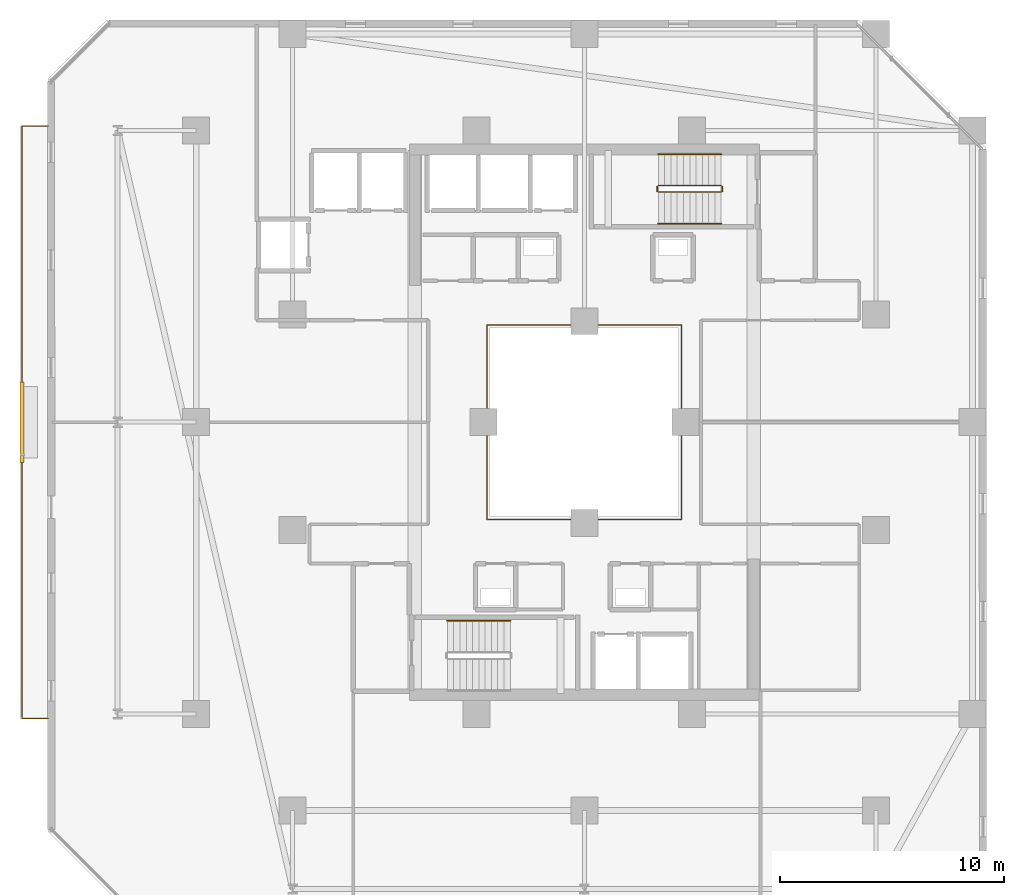
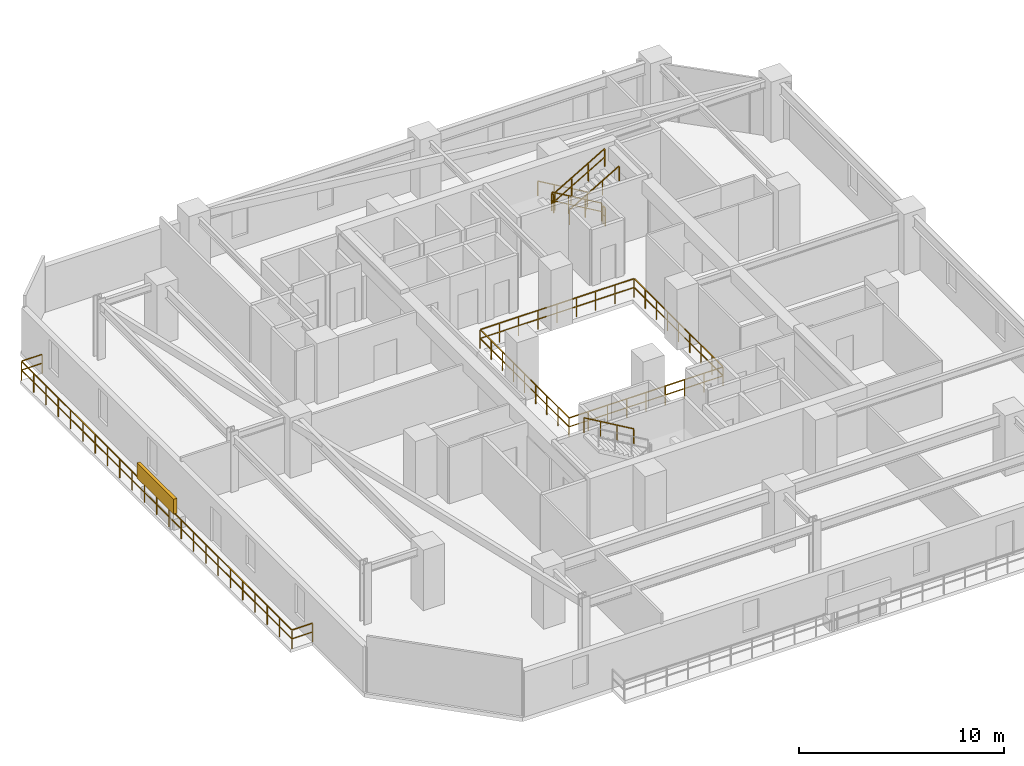
# One storey, part 28 of 31: 9 railings, 1 shading device.
"""IFC4 building model written with IfcOpenShell, lengths in metres."""

from ifc_helpers import new_model, si_unit, direction, frame, origin, origin_2d, place, context, subcontext, project, spatial, rectangle, extrude, material, type_object, element, save


model = new_model("IFC4")

# Units and contexts
model_context = context("Model", 3, precision=1e-05, world=origin(), true_north=direction((0.0, 1.0)))
body_context = subcontext(model_context, "Body", "Model", "MODEL_VIEW")
ifc_project = project(units=[si_unit("LENGTHUNIT", "METRE"), si_unit("AREAUNIT", "SQUARE_METRE"), si_unit("VOLUMEUNIT", "CUBIC_METRE"), si_unit("PLANEANGLEUNIT", "RADIAN"), si_unit("MASSUNIT", "GRAM", prefix="KILO")], contexts=[model_context])

# Site, building, storey
site_placement = place(None, origin())
site = spatial("IfcSite", under=ifc_project, at=site_placement, CompositionType="ELEMENT")
building_placement = place(site_placement, origin())
building = spatial("IfcBuilding", under=site, at=building_placement, Name="Thornwick Lancets Civic Towers", CompositionType="ELEMENT")
storey_placement = place(building_placement, frame((0.0, 0.0, 126.89990234375)))
storey = spatial("IfcBuildingStorey", under=building, at=storey_placement, Name="L33", CompositionType="ELEMENT", Elevation=126.89990234375)

# Railings
ifc_material_1 = material(Name="Laminated glass and bronze steel S355", Category="steel")
railing_type_1 = type_object("IfcRailingType", Name="RAIL_ATRIUM_GUARD", PredefinedType="BALUSTRADE", material=ifc_material_1)
railing_1_placement = place(storey_placement, frame((21.159912109375, 22.659912109375, 0.0)))
element("IfcRailing", 1, at=railing_1_placement, inside=storey, type_object=railing_type_1, Name="L33 Tower A Central Atrium Guard Balustrade", PredefinedType="BALUSTRADE", context=body_context, shape_type="SweptSolid", body=[
    extrude(rectangle(XDim=0.048095703125, YDim=0.048095703125, at=origin_2d()), frame((0.0, 0.0, 1.1259765625), z_axis=(1.0, 0.0, 0.0), x_axis=(0.0, 1.0, 0.0)), (0.0, 0.0, 1.0), 8.64892578125),
    extrude(rectangle(XDim=0.0419921875, YDim=0.0419921875, at=origin_2d()), frame((0.03759765625, 0.0, 0.597900390625), z_axis=(1.0, 0.0, 0.0), x_axis=(0.0, 1.0, 0.0)), (0.0, 0.0, 1.0), 1.010009765625),
    extrude(rectangle(XDim=0.0419921875, YDim=0.0419921875, at=origin_2d()), frame((1.12255859375, 0.0, 0.597900390625), z_axis=(1.0, 0.0, 0.0), x_axis=(0.0, 1.0, 0.0)), (0.0, 0.0, 1.0), 1.010009765625),
    extrude(rectangle(XDim=0.0419921875, YDim=0.0419921875, at=origin_2d()), frame((2.20751953125, 0.0, 0.597900390625), z_axis=(1.0, 0.0, 0.0), x_axis=(0.0, 1.0, 0.0)), (0.0, 0.0, 1.0), 1.010009765625),
    extrude(rectangle(XDim=0.0419921875, YDim=0.0419921875, at=origin_2d()), frame((3.29248046875, 0.0, 0.597900390625), z_axis=(1.0, 0.0, 0.0), x_axis=(0.0, 1.0, 0.0)), (0.0, 0.0, 1.0), 1.010009765625),
    extrude(rectangle(XDim=0.0419921875, YDim=0.0419921875, at=origin_2d()), frame((4.377685546875, 0.0, 0.597900390625), z_axis=(1.0, 0.0, 0.0), x_axis=(0.0, 1.0, 0.0)), (0.0, 0.0, 1.0), 1.010009765625),
    extrude(rectangle(XDim=0.0419921875, YDim=0.0419921875, at=origin_2d()), frame((5.462646484375, 0.0, 0.597900390625), z_axis=(1.0, 0.0, 0.0), x_axis=(0.0, 1.0, 0.0)), (0.0, 0.0, 1.0), 1.010009765625),
    extrude(rectangle(XDim=0.0419921875, YDim=0.0419921875, at=origin_2d()), frame((6.547607421875, 0.0, 0.597900390625), z_axis=(1.0, 0.0, 0.0), x_axis=(0.0, 1.0, 0.0)), (0.0, 0.0, 1.0), 1.010009765625),
    extrude(rectangle(XDim=0.0419921875, YDim=0.0419921875, at=origin_2d()), frame((7.632568359375, 0.0, 0.597900390625), z_axis=(1.0, 0.0, 0.0), x_axis=(0.0, 1.0, 0.0)), (0.0, 0.0, 1.0), 1.010009765625),
    extrude(rectangle(XDim=0.048095703125, YDim=0.048095703125, at=origin_2d()), frame((8.68017578125, 0.03125, 1.1259765625), z_axis=(0.0, 1.0, 0.0), x_axis=(-1.0, 0.0, 0.0)), (0.0, 0.0, 1.0), 8.61767578125),
    extrude(rectangle(XDim=0.0419921875, YDim=0.0419921875, at=origin_2d()), frame((8.68017578125, 0.03759765625, 0.597900390625), z_axis=(0.0, 1.0, 0.0), x_axis=(-1.0, 0.0, 0.0)), (0.0, 0.0, 1.0), 1.010009765625),
    extrude(rectangle(XDim=0.0419921875, YDim=0.0419921875, at=origin_2d()), frame((8.68017578125, 1.12255859375, 0.597900390625), z_axis=(0.0, 1.0, 0.0), x_axis=(-1.0, 0.0, 0.0)), (0.0, 0.0, 1.0), 1.010009765625),
    extrude(rectangle(XDim=0.0419921875, YDim=0.0419921875, at=origin_2d()), frame((8.68017578125, 2.20751953125, 0.597900390625), z_axis=(0.0, 1.0, 0.0), x_axis=(-1.0, 0.0, 0.0)), (0.0, 0.0, 1.0), 1.010009765625),
    extrude(rectangle(XDim=0.0419921875, YDim=0.0419921875, at=origin_2d()), frame((8.68017578125, 3.29248046875, 0.597900390625), z_axis=(0.0, 1.0, 0.0), x_axis=(-1.0, 0.0, 0.0)), (0.0, 0.0, 1.0), 1.010009765625),
    extrude(rectangle(XDim=0.0419921875, YDim=0.0419921875, at=origin_2d()), frame((8.68017578125, 4.377685546875, 0.597900390625), z_axis=(0.0, 1.0, 0.0), x_axis=(-1.0, 0.0, 0.0)), (0.0, 0.0, 1.0), 1.010009765625),
    extrude(rectangle(XDim=0.0419921875, YDim=0.0419921875, at=origin_2d()), frame((8.68017578125, 5.462646484375, 0.597900390625), z_axis=(0.0, 1.0, 0.0), x_axis=(-1.0, 0.0, 0.0)), (0.0, 0.0, 1.0), 1.010009765625),
    extrude(rectangle(XDim=0.0419921875, YDim=0.0419921875, at=origin_2d()), frame((8.68017578125, 6.547607421875, 0.597900390625), z_axis=(0.0, 1.0, 0.0), x_axis=(-1.0, 0.0, 0.0)), (0.0, 0.0, 1.0), 1.010009765625),
    extrude(rectangle(XDim=0.0419921875, YDim=0.0419921875, at=origin_2d()), frame((8.68017578125, 7.632568359375, 0.597900390625), z_axis=(0.0, 1.0, 0.0), x_axis=(-1.0, 0.0, 0.0)), (0.0, 0.0, 1.0), 1.010009765625),
    extrude(rectangle(XDim=0.048095703125, YDim=0.048095703125, at=origin_2d()), frame((8.64892578125, 8.68017578125, 1.1259765625), z_axis=(-1.0, 0.0, 0.0), x_axis=(0.0, -1.0, 0.0)), (0.0, 0.0, 1.0), 8.61767578125),
    extrude(rectangle(XDim=0.0419921875, YDim=0.0419921875, at=origin_2d()), frame((8.642578125, 8.68017578125, 0.597900390625), z_axis=(-1.0, 0.0, 0.0), x_axis=(0.0, -1.0, 0.0)), (0.0, 0.0, 1.0), 1.010009765625),
    extrude(rectangle(XDim=0.0419921875, YDim=0.0419921875, at=origin_2d()), frame((7.5576171875, 8.68017578125, 0.597900390625), z_axis=(-1.0, 0.0, 0.0), x_axis=(0.0, -1.0, 0.0)), (0.0, 0.0, 1.0), 1.010009765625),
    extrude(rectangle(XDim=0.0419921875, YDim=0.0419921875, at=origin_2d()), frame((6.47265625, 8.68017578125, 0.597900390625), z_axis=(-1.0, 0.0, 0.0), x_axis=(0.0, -1.0, 0.0)), (0.0, 0.0, 1.0), 1.010009765625),
    extrude(rectangle(XDim=0.0419921875, YDim=0.0419921875, at=origin_2d()), frame((5.3876953125, 8.68017578125, 0.597900390625), z_axis=(-1.0, 0.0, 0.0), x_axis=(0.0, -1.0, 0.0)), (0.0, 0.0, 1.0), 1.010009765625),
    extrude(rectangle(XDim=0.0419921875, YDim=0.0419921875, at=origin_2d()), frame((4.302490234375, 8.68017578125, 0.597900390625), z_axis=(-1.0, 0.0, 0.0), x_axis=(0.0, -1.0, 0.0)), (0.0, 0.0, 1.0), 1.010009765625),
    extrude(rectangle(XDim=0.0419921875, YDim=0.0419921875, at=origin_2d()), frame((3.217529296875, 8.68017578125, 0.597900390625), z_axis=(-1.0, 0.0, 0.0), x_axis=(0.0, -1.0, 0.0)), (0.0, 0.0, 1.0), 1.010009765625),
    extrude(rectangle(XDim=0.0419921875, YDim=0.0419921875, at=origin_2d()), frame((2.132568359375, 8.68017578125, 0.597900390625), z_axis=(-1.0, 0.0, 0.0), x_axis=(0.0, -1.0, 0.0)), (0.0, 0.0, 1.0), 1.010009765625),
    extrude(rectangle(XDim=0.0419921875, YDim=0.0419921875, at=origin_2d()), frame((1.047607421875, 8.68017578125, 0.597900390625), z_axis=(-1.0, 0.0, 0.0), x_axis=(0.0, -1.0, 0.0)), (0.0, 0.0, 1.0), 1.010009765625),
    extrude(rectangle(XDim=0.048095703125, YDim=0.048095703125, at=origin_2d()), frame((0.0, 8.64892578125, 1.1259765625), z_axis=(0.0, -1.0, 0.0), x_axis=(1.0, 0.0, 0.0)), (0.0, 0.0, 1.0), 8.64892578125),
    extrude(rectangle(XDim=0.0419921875, YDim=0.0419921875, at=origin_2d()), frame((0.0, 8.642578125, 0.597900390625), z_axis=(0.0, -1.0, 0.0), x_axis=(1.0, 0.0, 0.0)), (0.0, 0.0, 1.0), 1.010009765625),
    extrude(rectangle(XDim=0.0419921875, YDim=0.0419921875, at=origin_2d()), frame((0.0, 7.5576171875, 0.597900390625), z_axis=(0.0, -1.0, 0.0), x_axis=(1.0, 0.0, 0.0)), (0.0, 0.0, 1.0), 1.010009765625),
    extrude(rectangle(XDim=0.0419921875, YDim=0.0419921875, at=origin_2d()), frame((0.0, 6.47265625, 0.597900390625), z_axis=(0.0, -1.0, 0.0), x_axis=(1.0, 0.0, 0.0)), (0.0, 0.0, 1.0), 1.010009765625),
    extrude(rectangle(XDim=0.0419921875, YDim=0.0419921875, at=origin_2d()), frame((0.0, 5.3876953125, 0.597900390625), z_axis=(0.0, -1.0, 0.0), x_axis=(1.0, 0.0, 0.0)), (0.0, 0.0, 1.0), 1.010009765625),
    extrude(rectangle(XDim=0.0419921875, YDim=0.0419921875, at=origin_2d()), frame((0.0, 4.302490234375, 0.597900390625), z_axis=(0.0, -1.0, 0.0), x_axis=(1.0, 0.0, 0.0)), (0.0, 0.0, 1.0), 1.010009765625),
    extrude(rectangle(XDim=0.0419921875, YDim=0.0419921875, at=origin_2d()), frame((0.0, 3.217529296875, 0.597900390625), z_axis=(0.0, -1.0, 0.0), x_axis=(1.0, 0.0, 0.0)), (0.0, 0.0, 1.0), 1.010009765625),
    extrude(rectangle(XDim=0.0419921875, YDim=0.0419921875, at=origin_2d()), frame((0.0, 2.132568359375, 0.597900390625), z_axis=(0.0, -1.0, 0.0), x_axis=(1.0, 0.0, 0.0)), (0.0, 0.0, 1.0), 1.010009765625),
    extrude(rectangle(XDim=0.0419921875, YDim=0.0419921875, at=origin_2d()), frame((0.0, 1.047607421875, 0.597900390625), z_axis=(0.0, -1.0, 0.0), x_axis=(1.0, 0.0, 0.0)), (0.0, 0.0, 1.0), 1.010009765625),
    extrude(rectangle(XDim=0.0419921875, YDim=0.0419921875, at=origin_2d()), origin(), (0.0, 0.0, 1.0), 1.095703125),
    extrude(rectangle(XDim=0.0419921875, YDim=0.0419921875, at=origin_2d()), frame((1.0849609375, 0.0, 0.0)), (0.0, 0.0, 1.0), 1.095703125),
    extrude(rectangle(XDim=0.0419921875, YDim=0.0419921875, at=origin_2d()), frame((2.169921875, 0.0, 0.0)), (0.0, 0.0, 1.0), 1.095703125),
    extrude(rectangle(XDim=0.0419921875, YDim=0.0419921875, at=origin_2d()), frame((3.255126953125, 0.0, 0.0)), (0.0, 0.0, 1.0), 1.095703125),
    extrude(rectangle(XDim=0.0419921875, YDim=0.0419921875, at=origin_2d()), frame((4.340087890625, 0.0, 0.0)), (0.0, 0.0, 1.0), 1.095703125),
    extrude(rectangle(XDim=0.0419921875, YDim=0.0419921875, at=origin_2d()), frame((5.425048828125, 0.0, 0.0)), (0.0, 0.0, 1.0), 1.095703125),
    extrude(rectangle(XDim=0.0419921875, YDim=0.0419921875, at=origin_2d()), frame((6.51025390625, 0.0, 0.0)), (0.0, 0.0, 1.0), 1.095703125),
    extrude(rectangle(XDim=0.0419921875, YDim=0.0419921875, at=origin_2d()), frame((7.59521484375, 0.0, 0.0)), (0.0, 0.0, 1.0), 1.095703125),
    extrude(rectangle(XDim=0.0419921875, YDim=0.0419921875, at=origin_2d()), frame((8.68017578125, 0.0, 0.0)), (0.0, 0.0, 1.0), 1.095703125),
    extrude(rectangle(XDim=0.0419921875, YDim=0.0419921875, at=origin_2d()), frame((8.68017578125, 1.0849609375, 0.0)), (0.0, 0.0, 1.0), 1.095703125),
    extrude(rectangle(XDim=0.0419921875, YDim=0.0419921875, at=origin_2d()), frame((8.68017578125, 2.169921875, 0.0)), (0.0, 0.0, 1.0), 1.095703125),
    extrude(rectangle(XDim=0.0419921875, YDim=0.0419921875, at=origin_2d()), frame((8.68017578125, 3.255126953125, 0.0)), (0.0, 0.0, 1.0), 1.095703125),
    extrude(rectangle(XDim=0.0419921875, YDim=0.0419921875, at=origin_2d()), frame((8.68017578125, 4.340087890625, 0.0)), (0.0, 0.0, 1.0), 1.095703125),
    extrude(rectangle(XDim=0.0419921875, YDim=0.0419921875, at=origin_2d()), frame((8.68017578125, 5.425048828125, 0.0)), (0.0, 0.0, 1.0), 1.095703125),
    extrude(rectangle(XDim=0.0419921875, YDim=0.0419921875, at=origin_2d()), frame((8.68017578125, 6.51025390625, 0.0)), (0.0, 0.0, 1.0), 1.095703125),
    extrude(rectangle(XDim=0.0419921875, YDim=0.0419921875, at=origin_2d()), frame((8.68017578125, 7.59521484375, 0.0)), (0.0, 0.0, 1.0), 1.095703125),
    extrude(rectangle(XDim=0.0419921875, YDim=0.0419921875, at=origin_2d()), frame((8.68017578125, 8.68017578125, 0.0)), (0.0, 0.0, 1.0), 1.095703125),
    extrude(rectangle(XDim=0.0419921875, YDim=0.0419921875, at=origin_2d()), frame((7.59521484375, 8.68017578125, 0.0)), (0.0, 0.0, 1.0), 1.095703125),
    extrude(rectangle(XDim=0.0419921875, YDim=0.0419921875, at=origin_2d()), frame((6.51025390625, 8.68017578125, 0.0)), (0.0, 0.0, 1.0), 1.095703125),
    extrude(rectangle(XDim=0.0419921875, YDim=0.0419921875, at=origin_2d()), frame((5.425048828125, 8.68017578125, 0.0)), (0.0, 0.0, 1.0), 1.095703125),
    extrude(rectangle(XDim=0.0419921875, YDim=0.0419921875, at=origin_2d()), frame((4.340087890625, 8.68017578125, 0.0)), (0.0, 0.0, 1.0), 1.095703125),
    extrude(rectangle(XDim=0.0419921875, YDim=0.0419921875, at=origin_2d()), frame((3.255126953125, 8.68017578125, 0.0)), (0.0, 0.0, 1.0), 1.095703125),
    extrude(rectangle(XDim=0.0419921875, YDim=0.0419921875, at=origin_2d()), frame((2.169921875, 8.68017578125, 0.0)), (0.0, 0.0, 1.0), 1.095703125),
    extrude(rectangle(XDim=0.0419921875, YDim=0.0419921875, at=origin_2d()), frame((1.0849609375, 8.68017578125, 0.0)), (0.0, 0.0, 1.0), 1.095703125),
    extrude(rectangle(XDim=0.0419921875, YDim=0.0419921875, at=origin_2d()), frame((0.0, 8.68017578125, 0.0)), (0.0, 0.0, 1.0), 1.095703125),
    extrude(rectangle(XDim=0.0419921875, YDim=0.0419921875, at=origin_2d()), frame((0.0, 7.59521484375, 0.0)), (0.0, 0.0, 1.0), 1.095703125),
    extrude(rectangle(XDim=0.0419921875, YDim=0.0419921875, at=origin_2d()), frame((0.0, 6.51025390625, 0.0)), (0.0, 0.0, 1.0), 1.095703125),
    extrude(rectangle(XDim=0.0419921875, YDim=0.0419921875, at=origin_2d()), frame((0.0, 5.425048828125, 0.0)), (0.0, 0.0, 1.0), 1.095703125),
    extrude(rectangle(XDim=0.0419921875, YDim=0.0419921875, at=origin_2d()), frame((0.0, 4.340087890625, 0.0)), (0.0, 0.0, 1.0), 1.095703125),
    extrude(rectangle(XDim=0.0419921875, YDim=0.0419921875, at=origin_2d()), frame((0.0, 3.255126953125, 0.0)), (0.0, 0.0, 1.0), 1.095703125),
    extrude(rectangle(XDim=0.0419921875, YDim=0.0419921875, at=origin_2d()), frame((0.0, 2.169921875, 0.0)), (0.0, 0.0, 1.0), 1.095703125),
    extrude(rectangle(XDim=0.0419921875, YDim=0.0419921875, at=origin_2d()), frame((0.0, 1.0849609375, 0.0)), (0.0, 0.0, 1.0), 1.095703125),
])
ifc_material_2 = material(Name="Brushed stainless steel S355", Category="steel")
railing_type_2 = type_object("IfcRailingType", Name="RAIL_HANDRAIL", PredefinedType="HANDRAIL", material=ifc_material_2)
railing_2_placement = place(storey_placement, frame((22.199951171875, 18.14990234375, 1.963623046875)))
element("IfcRailing", 2, at=railing_2_placement, inside=storey, type_object=railing_type_2, Name="L33 ST-A1 stair handrail 2", PredefinedType="HANDRAIL", context=body_context, shape_type="SweptSolid", body=[
    extrude(rectangle(XDim=0.048095703125, YDim=0.048095703125, at=origin_2d()), frame((0.0, 0.0, 0.8857421875), z_axis=(-0.863360870873, 0.0, 0.504586966384), x_axis=(0.0, -1.0, 0.0)), (0.0, 0.0, 1.0), 3.2431640625),
    extrude(rectangle(XDim=0.0419921875, YDim=0.0419921875, at=origin_2d()), origin(), (0.0, 0.0, 1.0), 0.855712890625),
    extrude(rectangle(XDim=0.0419921875, YDim=0.0419921875, at=origin_2d()), frame((-0.933349609375, 0.0, 0.54541015625)), (0.0, 0.0, 1.0), 0.855712890625),
    extrude(rectangle(XDim=0.0419921875, YDim=0.0419921875, at=origin_2d()), frame((-1.86669921875, 0.0, 1.091064453125)), (0.0, 0.0, 1.0), 0.855712890625),
    extrude(rectangle(XDim=0.0419921875, YDim=0.0419921875, at=origin_2d()), frame((-2.800048828125, 0.0, 1.636474609375)), (0.0, 0.0, 1.0), 0.855712890625),
])
railing_3_placement = place(storey_placement, frame((31.60009765625, 38.949951171875, 0.163818359375)))
element("IfcRailing", 3, at=railing_3_placement, inside=storey, type_object=railing_type_2, Name="L33 ST-A2 stair handrail 1", PredefinedType="HANDRAIL", context=body_context, shape_type="SweptSolid", body=[
    extrude(rectangle(XDim=0.048095703125, YDim=0.048095703125, at=origin_2d()), frame((0.0, 0.0, 0.8857421875), z_axis=(-0.863393664356, 0.0, 0.504530851732), x_axis=(0.0, -1.0, 0.0)), (0.0, 0.0, 1.0), 3.2431640625),
    extrude(rectangle(XDim=0.0419921875, YDim=0.0419921875, at=origin_2d()), origin(), (0.0, 0.0, 1.0), 0.855712890625),
    extrude(rectangle(XDim=0.0419921875, YDim=0.0419921875, at=origin_2d()), frame((-0.933349609375, 0.0, 0.54541015625)), (0.0, 0.0, 1.0), 0.855712890625),
    extrude(rectangle(XDim=0.0419921875, YDim=0.0419921875, at=origin_2d()), frame((-1.86669921875, 0.0, 1.0908203125)), (0.0, 0.0, 1.0), 0.855712890625),
    extrude(rectangle(XDim=0.0419921875, YDim=0.0419921875, at=origin_2d()), frame((-2.800048828125, 0.0, 1.63623046875)), (0.0, 0.0, 1.0), 0.855712890625),
])
railing_4_placement = place(storey_placement, frame((28.800048828125, 35.85009765625, 1.963623046875)))
element("IfcRailing", 4, at=railing_4_placement, inside=storey, type_object=railing_type_2, Name="L33 ST-A2 stair handrail 2", PredefinedType="HANDRAIL", context=body_context, shape_type="SweptSolid", body=[
    extrude(rectangle(XDim=0.048095703125, YDim=0.048095703125, at=origin_2d()), frame((0.0, 0.0, 0.8857421875), z_axis=(0.863360870873, 0.0, 0.504586966384), x_axis=(0.0, 1.0, 0.0)), (0.0, 0.0, 1.0), 3.2431640625),
    extrude(rectangle(XDim=0.0419921875, YDim=0.0419921875, at=origin_2d()), origin(), (0.0, 0.0, 1.0), 0.855712890625),
    extrude(rectangle(XDim=0.0419921875, YDim=0.0419921875, at=origin_2d()), frame((0.933349609375, 0.0, 0.54541015625)), (0.0, 0.0, 1.0), 0.855712890625),
    extrude(rectangle(XDim=0.0419921875, YDim=0.0419921875, at=origin_2d()), frame((1.86669921875, 0.0, 1.091064453125)), (0.0, 0.0, 1.0), 0.855712890625),
    extrude(rectangle(XDim=0.0419921875, YDim=0.0419921875, at=origin_2d()), frame((2.800048828125, 0.0, 1.636474609375)), (0.0, 0.0, 1.0), 0.855712890625),
])
ifc_material_3 = material(Name="Steel S355JR", Category="steel")
railing_type_3 = type_object("IfcRailingType", Name="RAIL_STAIR_GUARD", PredefinedType="GUARDRAIL", material=ifc_material_3)
railing_5_placement = place(storey_placement, frame((31.60009765625, 37.550048828125, 0.163818359375)))
element("IfcRailing", 5, at=railing_5_placement, inside=storey, type_object=railing_type_3, Name="L33 ST-A2 stair guard 1", PredefinedType="GUARDRAIL", context=body_context, shape_type="SweptSolid", body=[
    extrude(rectangle(XDim=0.048095703125, YDim=0.048095703125, at=origin_2d()), frame((0.0, 0.0, 1.076171875), z_axis=(-0.863393664356, 0.0, 0.504530851732), x_axis=(0.0, -1.0, 0.0)), (0.0, 0.0, 1.0), 3.2431640625),
    extrude(rectangle(XDim=0.0419921875, YDim=0.0419921875, at=origin_2d()), frame((-0.032470703125, 0.0, 0.591064453125), z_axis=(-0.863393664356, 0.0, 0.504530851732), x_axis=(0.0, -1.0, 0.0)), (0.0, 0.0, 1.0), 1.006103515625),
    extrude(rectangle(XDim=0.0419921875, YDim=0.0419921875, at=origin_2d()), frame((-0.9658203125, 0.0, 1.136474609375), z_axis=(-0.863393664356, 0.0, 0.504530851732), x_axis=(0.0, -1.0, 0.0)), (0.0, 0.0, 1.0), 1.006103515625),
    extrude(rectangle(XDim=0.0419921875, YDim=0.0419921875, at=origin_2d()), frame((-1.899169921875, 0.0, 1.681884765625), z_axis=(-0.863393664356, 0.0, 0.504530851732), x_axis=(0.0, -1.0, 0.0)), (0.0, 0.0, 1.0), 1.006103515625),
    extrude(rectangle(XDim=0.0419921875, YDim=0.0419921875, at=origin_2d()), origin(), (0.0, 0.0, 1.0), 1.0458984375),
    extrude(rectangle(XDim=0.0419921875, YDim=0.0419921875, at=origin_2d()), frame((-0.933349609375, 0.0, 0.54541015625)), (0.0, 0.0, 1.0), 1.0458984375),
    extrude(rectangle(XDim=0.0419921875, YDim=0.0419921875, at=origin_2d()), frame((-1.86669921875, 0.0, 1.0908203125)), (0.0, 0.0, 1.0), 1.0458984375),
    extrude(rectangle(XDim=0.0419921875, YDim=0.0419921875, at=origin_2d()), frame((-2.800048828125, 0.0, 1.63623046875)), (0.0, 0.0, 1.0), 1.0458984375),
])
railing_6_placement = place(storey_placement, frame((28.75, 37.5, 1.800048828125)))
element("IfcRailing", 6, at=railing_6_placement, inside=storey, type_object=railing_type_3, Name="L33 ST-A2 stair guard 2", PredefinedType="GUARDRAIL", context=body_context, shape_type="SweptSolid", body=[
    extrude(rectangle(XDim=0.048095703125, YDim=0.048095703125, at=origin_2d()), frame((0.0, 0.0, 1.076171875), z_axis=(0.0, -1.0, 0.0), x_axis=(1.0, 0.0, 0.0)), (0.0, 0.0, 1.0), 0.199951171875),
    extrude(rectangle(XDim=0.0419921875, YDim=0.0419921875, at=origin_2d()), frame((0.0, -0.03759765625, 0.572021484375), z_axis=(0.0, -1.0, 0.0), x_axis=(1.0, 0.0, 0.0)), (0.0, 0.0, 1.0), 0.125),
    extrude(rectangle(XDim=0.0419921875, YDim=0.0419921875, at=origin_2d()), origin(), (0.0, 0.0, 1.0), 1.0458984375),
    extrude(rectangle(XDim=0.0419921875, YDim=0.0419921875, at=origin_2d()), frame((0.0, -0.199951171875, 0.0)), (0.0, 0.0, 1.0), 1.0458984375),
])
railing_7_placement = place(storey_placement, frame((28.800048828125, 37.25, 1.963623046875)))
element("IfcRailing", 7, at=railing_7_placement, inside=storey, type_object=railing_type_3, Name="L33 ST-A2 stair guard 3", PredefinedType="GUARDRAIL", context=body_context, shape_type="SweptSolid", body=[
    extrude(rectangle(XDim=0.048095703125, YDim=0.048095703125, at=origin_2d()), frame((0.0, 0.0, 1.076171875), z_axis=(0.863360870873, 0.0, 0.504586966384), x_axis=(0.0, 1.0, 0.0)), (0.0, 0.0, 1.0), 3.2431640625),
    extrude(rectangle(XDim=0.0419921875, YDim=0.0419921875, at=origin_2d()), frame((0.032470703125, 0.0, 0.591064453125), z_axis=(0.863360870873, 0.0, 0.504586966384), x_axis=(0.0, 1.0, 0.0)), (0.0, 0.0, 1.0), 1.006103515625),
    extrude(rectangle(XDim=0.0419921875, YDim=0.0419921875, at=origin_2d()), frame((0.9658203125, 0.0, 1.136474609375), z_axis=(0.863360870873, 0.0, 0.504586966384), x_axis=(0.0, 1.0, 0.0)), (0.0, 0.0, 1.0), 1.006103515625),
    extrude(rectangle(XDim=0.0419921875, YDim=0.0419921875, at=origin_2d()), frame((1.899169921875, 0.0, 1.681884765625), z_axis=(0.863360870873, 0.0, 0.504586966384), x_axis=(0.0, 1.0, 0.0)), (0.0, 0.0, 1.0), 1.006103515625),
    extrude(rectangle(XDim=0.0419921875, YDim=0.0419921875, at=origin_2d()), origin(), (0.0, 0.0, 1.0), 1.0458984375),
    extrude(rectangle(XDim=0.0419921875, YDim=0.0419921875, at=origin_2d()), frame((0.933349609375, 0.0, 0.54541015625)), (0.0, 0.0, 1.0), 1.0458984375),
    extrude(rectangle(XDim=0.0419921875, YDim=0.0419921875, at=origin_2d()), frame((1.86669921875, 0.0, 1.091064453125)), (0.0, 0.0, 1.0), 1.0458984375),
    extrude(rectangle(XDim=0.0419921875, YDim=0.0419921875, at=origin_2d()), frame((2.800048828125, 0.0, 1.636474609375)), (0.0, 0.0, 1.0), 1.0458984375),
])
railing_8_placement = place(storey_placement, frame((31.64990234375, 37.5, 0.0)))
element("IfcRailing", 8, at=railing_8_placement, inside=storey, type_object=railing_type_3, Name="L33 ST-A2 stair guard 4", PredefinedType="GUARDRAIL", context=body_context, shape_type="SweptSolid", body=[
    extrude(rectangle(XDim=0.048095703125, YDim=0.048095703125, at=origin_2d()), frame((0.0, 0.0, 1.076171875), z_axis=(0.0, -1.0, 0.0), x_axis=(1.0, 0.0, 0.0)), (0.0, 0.0, 1.0), 0.199951171875),
    extrude(rectangle(XDim=0.0419921875, YDim=0.0419921875, at=origin_2d()), frame((0.0, -0.03759765625, 0.572021484375), z_axis=(0.0, -1.0, 0.0), x_axis=(1.0, 0.0, 0.0)), (0.0, 0.0, 1.0), 0.125),
    extrude(rectangle(XDim=0.0419921875, YDim=0.0419921875, at=origin_2d()), origin(), (0.0, 0.0, 1.0), 1.0458984375),
    extrude(rectangle(XDim=0.0419921875, YDim=0.0419921875, at=origin_2d()), frame((0.0, -0.199951171875, 0.0)), (0.0, 0.0, 1.0), 1.0458984375),
])
ifc_material_4 = material(Name="Terracotta-capped laminated glass balustrade S355", Category="masonry")
railing_type_4 = type_object("IfcRailingType", Name="RAIL_TERR_GUARD", PredefinedType="GUARDRAIL", material=ifc_material_4)
railing_9_placement = place(storey_placement, frame((1.60009765625, 13.800048828125, 0.0)))
element("IfcRailing", 9, at=railing_9_placement, inside=storey, type_object=railing_type_4, Name="L33 Tower A Balcony Guard W", PredefinedType="GUARDRAIL", context=body_context, shape_type="SweptSolid", body=[
    extrude(rectangle(XDim=0.048095703125, YDim=0.048095703125, at=origin_2d()), frame((0.0, 0.0, 1.1259765625), z_axis=(-1.0, 0.0, 0.0), x_axis=(0.0, -1.0, 0.0)), (0.0, 0.0, 1.0), 1.138916015625),
    extrude(rectangle(XDim=0.0419921875, YDim=0.0419921875, at=origin_2d()), frame((-0.03759765625, 0.0, 0.597900390625), z_axis=(-1.0, 0.0, 0.0), x_axis=(0.0, -1.0, 0.0)), (0.0, 0.0, 1.0), 1.09521484375),
    extrude(rectangle(XDim=0.048095703125, YDim=0.048095703125, at=origin_2d()), frame((-1.170166015625, 0.03125, 1.1259765625), z_axis=(0.0, 1.0, 0.0), x_axis=(-1.0, 0.0, 0.0)), (0.0, 0.0, 1.0), 26.33740234375),
    extrude(rectangle(XDim=0.0419921875, YDim=0.0419921875, at=origin_2d()), frame((-1.170166015625, 0.03759765625, 0.597900390625), z_axis=(0.0, 1.0, 0.0), x_axis=(-1.0, 0.0, 0.0)), (0.0, 0.0, 1.0), 1.125),
    extrude(rectangle(XDim=0.0419921875, YDim=0.0419921875, at=origin_2d()), frame((-1.170166015625, 1.237548828125, 0.597900390625), z_axis=(0.0, 1.0, 0.0), x_axis=(-1.0, 0.0, 0.0)), (0.0, 0.0, 1.0), 1.125),
    extrude(rectangle(XDim=0.0419921875, YDim=0.0419921875, at=origin_2d()), frame((-1.170166015625, 2.4375, 0.597900390625), z_axis=(0.0, 1.0, 0.0), x_axis=(-1.0, 0.0, 0.0)), (0.0, 0.0, 1.0), 1.125),
    extrude(rectangle(XDim=0.0419921875, YDim=0.0419921875, at=origin_2d()), frame((-1.170166015625, 3.637451171875, 0.597900390625), z_axis=(0.0, 1.0, 0.0), x_axis=(-1.0, 0.0, 0.0)), (0.0, 0.0, 1.0), 1.125),
    extrude(rectangle(XDim=0.0419921875, YDim=0.0419921875, at=origin_2d()), frame((-1.170166015625, 4.83740234375, 0.597900390625), z_axis=(0.0, 1.0, 0.0), x_axis=(-1.0, 0.0, 0.0)), (0.0, 0.0, 1.0), 1.125),
    extrude(rectangle(XDim=0.0419921875, YDim=0.0419921875, at=origin_2d()), frame((-1.170166015625, 6.037353515625, 0.597900390625), z_axis=(0.0, 1.0, 0.0), x_axis=(-1.0, 0.0, 0.0)), (0.0, 0.0, 1.0), 1.125),
    extrude(rectangle(XDim=0.0419921875, YDim=0.0419921875, at=origin_2d()), frame((-1.170166015625, 7.237548828125, 0.597900390625), z_axis=(0.0, 1.0, 0.0), x_axis=(-1.0, 0.0, 0.0)), (0.0, 0.0, 1.0), 1.125),
    extrude(rectangle(XDim=0.0419921875, YDim=0.0419921875, at=origin_2d()), frame((-1.170166015625, 8.4375, 0.597900390625), z_axis=(0.0, 1.0, 0.0), x_axis=(-1.0, 0.0, 0.0)), (0.0, 0.0, 1.0), 1.125),
    extrude(rectangle(XDim=0.0419921875, YDim=0.0419921875, at=origin_2d()), frame((-1.170166015625, 9.637451171875, 0.597900390625), z_axis=(0.0, 1.0, 0.0), x_axis=(-1.0, 0.0, 0.0)), (0.0, 0.0, 1.0), 1.125),
    extrude(rectangle(XDim=0.0419921875, YDim=0.0419921875, at=origin_2d()), frame((-1.170166015625, 10.83740234375, 0.597900390625), z_axis=(0.0, 1.0, 0.0), x_axis=(-1.0, 0.0, 0.0)), (0.0, 0.0, 1.0), 1.125),
    extrude(rectangle(XDim=0.0419921875, YDim=0.0419921875, at=origin_2d()), frame((-1.170166015625, 12.037353515625, 0.597900390625), z_axis=(0.0, 1.0, 0.0), x_axis=(-1.0, 0.0, 0.0)), (0.0, 0.0, 1.0), 1.125),
    extrude(rectangle(XDim=0.0419921875, YDim=0.0419921875, at=origin_2d()), frame((-1.170166015625, 13.237548828125, 0.597900390625), z_axis=(0.0, 1.0, 0.0), x_axis=(-1.0, 0.0, 0.0)), (0.0, 0.0, 1.0), 1.125),
    extrude(rectangle(XDim=0.0419921875, YDim=0.0419921875, at=origin_2d()), frame((-1.170166015625, 14.4375, 0.597900390625), z_axis=(0.0, 1.0, 0.0), x_axis=(-1.0, 0.0, 0.0)), (0.0, 0.0, 1.0), 1.125),
    extrude(rectangle(XDim=0.0419921875, YDim=0.0419921875, at=origin_2d()), frame((-1.170166015625, 15.637451171875, 0.597900390625), z_axis=(0.0, 1.0, 0.0), x_axis=(-1.0, 0.0, 0.0)), (0.0, 0.0, 1.0), 1.125),
    extrude(rectangle(XDim=0.0419921875, YDim=0.0419921875, at=origin_2d()), frame((-1.170166015625, 16.83740234375, 0.597900390625), z_axis=(0.0, 1.0, 0.0), x_axis=(-1.0, 0.0, 0.0)), (0.0, 0.0, 1.0), 1.125),
    extrude(rectangle(XDim=0.0419921875, YDim=0.0419921875, at=origin_2d()), frame((-1.170166015625, 18.037353515625, 0.597900390625), z_axis=(0.0, 1.0, 0.0), x_axis=(-1.0, 0.0, 0.0)), (0.0, 0.0, 1.0), 1.125),
    extrude(rectangle(XDim=0.0419921875, YDim=0.0419921875, at=origin_2d()), frame((-1.170166015625, 19.2373046875, 0.597900390625), z_axis=(0.0, 1.0, 0.0), x_axis=(-1.0, 0.0, 0.0)), (0.0, 0.0, 1.0), 1.125),
    extrude(rectangle(XDim=0.0419921875, YDim=0.0419921875, at=origin_2d()), frame((-1.170166015625, 20.4375, 0.597900390625), z_axis=(0.0, 1.0, 0.0), x_axis=(-1.0, 0.0, 0.0)), (0.0, 0.0, 1.0), 1.125),
    extrude(rectangle(XDim=0.0419921875, YDim=0.0419921875, at=origin_2d()), frame((-1.170166015625, 21.637451171875, 0.597900390625), z_axis=(0.0, 1.0, 0.0), x_axis=(-1.0, 0.0, 0.0)), (0.0, 0.0, 1.0), 1.125),
    extrude(rectangle(XDim=0.0419921875, YDim=0.0419921875, at=origin_2d()), frame((-1.170166015625, 22.83740234375, 0.597900390625), z_axis=(0.0, 1.0, 0.0), x_axis=(-1.0, 0.0, 0.0)), (0.0, 0.0, 1.0), 1.125),
    extrude(rectangle(XDim=0.0419921875, YDim=0.0419921875, at=origin_2d()), frame((-1.170166015625, 24.037353515625, 0.597900390625), z_axis=(0.0, 1.0, 0.0), x_axis=(-1.0, 0.0, 0.0)), (0.0, 0.0, 1.0), 1.125),
    extrude(rectangle(XDim=0.0419921875, YDim=0.0419921875, at=origin_2d()), frame((-1.170166015625, 25.2373046875, 0.597900390625), z_axis=(0.0, 1.0, 0.0), x_axis=(-1.0, 0.0, 0.0)), (0.0, 0.0, 1.0), 1.125),
    extrude(rectangle(XDim=0.048095703125, YDim=0.048095703125, at=origin_2d()), frame((-1.138916015625, 26.39990234375, 1.1259765625), z_axis=(1.0, 0.0, 0.0), x_axis=(0.0, 1.0, 0.0)), (0.0, 0.0, 1.0), 1.138916015625),
    extrude(rectangle(XDim=0.0419921875, YDim=0.0419921875, at=origin_2d()), frame((-1.132568359375, 26.39990234375, 0.597900390625), z_axis=(1.0, 0.0, 0.0), x_axis=(0.0, 1.0, 0.0)), (0.0, 0.0, 1.0), 1.09521484375),
    extrude(rectangle(XDim=0.0419921875, YDim=0.0419921875, at=origin_2d()), origin(), (0.0, 0.0, 1.0), 1.095703125),
    extrude(rectangle(XDim=0.0419921875, YDim=0.0419921875, at=origin_2d()), frame((-1.170166015625, 0.0, 0.0)), (0.0, 0.0, 1.0), 1.095703125),
    extrude(rectangle(XDim=0.0419921875, YDim=0.0419921875, at=origin_2d()), frame((-1.170166015625, 1.199951171875, 0.0)), (0.0, 0.0, 1.0), 1.095703125),
    extrude(rectangle(XDim=0.0419921875, YDim=0.0419921875, at=origin_2d()), frame((-1.170166015625, 2.39990234375, 0.0)), (0.0, 0.0, 1.0), 1.095703125),
    extrude(rectangle(XDim=0.0419921875, YDim=0.0419921875, at=origin_2d()), frame((-1.170166015625, 3.60009765625, 0.0)), (0.0, 0.0, 1.0), 1.095703125),
    extrude(rectangle(XDim=0.0419921875, YDim=0.0419921875, at=origin_2d()), frame((-1.170166015625, 4.800048828125, 0.0)), (0.0, 0.0, 1.0), 1.095703125),
    extrude(rectangle(XDim=0.0419921875, YDim=0.0419921875, at=origin_2d()), frame((-1.170166015625, 6.0, 0.0)), (0.0, 0.0, 1.0), 1.095703125),
    extrude(rectangle(XDim=0.0419921875, YDim=0.0419921875, at=origin_2d()), frame((-1.170166015625, 7.199951171875, 0.0)), (0.0, 0.0, 1.0), 1.095703125),
    extrude(rectangle(XDim=0.0419921875, YDim=0.0419921875, at=origin_2d()), frame((-1.170166015625, 8.39990234375, 0.0)), (0.0, 0.0, 1.0), 1.095703125),
    extrude(rectangle(XDim=0.0419921875, YDim=0.0419921875, at=origin_2d()), frame((-1.170166015625, 9.599853515625, 0.0)), (0.0, 0.0, 1.0), 1.095703125),
    extrude(rectangle(XDim=0.0419921875, YDim=0.0419921875, at=origin_2d()), frame((-1.170166015625, 10.800048828125, 0.0)), (0.0, 0.0, 1.0), 1.095703125),
    extrude(rectangle(XDim=0.0419921875, YDim=0.0419921875, at=origin_2d()), frame((-1.170166015625, 12.0, 0.0)), (0.0, 0.0, 1.0), 1.095703125),
    extrude(rectangle(XDim=0.0419921875, YDim=0.0419921875, at=origin_2d()), frame((-1.170166015625, 13.199951171875, 0.0)), (0.0, 0.0, 1.0), 1.095703125),
    extrude(rectangle(XDim=0.0419921875, YDim=0.0419921875, at=origin_2d()), frame((-1.170166015625, 14.39990234375, 0.0)), (0.0, 0.0, 1.0), 1.095703125),
    extrude(rectangle(XDim=0.0419921875, YDim=0.0419921875, at=origin_2d()), frame((-1.170166015625, 15.599853515625, 0.0)), (0.0, 0.0, 1.0), 1.095703125),
    extrude(rectangle(XDim=0.0419921875, YDim=0.0419921875, at=origin_2d()), frame((-1.170166015625, 16.800048828125, 0.0)), (0.0, 0.0, 1.0), 1.095703125),
    extrude(rectangle(XDim=0.0419921875, YDim=0.0419921875, at=origin_2d()), frame((-1.170166015625, 18.0, 0.0)), (0.0, 0.0, 1.0), 1.095703125),
    extrude(rectangle(XDim=0.0419921875, YDim=0.0419921875, at=origin_2d()), frame((-1.170166015625, 19.199951171875, 0.0)), (0.0, 0.0, 1.0), 1.095703125),
    extrude(rectangle(XDim=0.0419921875, YDim=0.0419921875, at=origin_2d()), frame((-1.170166015625, 20.39990234375, 0.0)), (0.0, 0.0, 1.0), 1.095703125),
    extrude(rectangle(XDim=0.0419921875, YDim=0.0419921875, at=origin_2d()), frame((-1.170166015625, 21.599853515625, 0.0)), (0.0, 0.0, 1.0), 1.095703125),
    extrude(rectangle(XDim=0.0419921875, YDim=0.0419921875, at=origin_2d()), frame((-1.170166015625, 22.7998046875, 0.0)), (0.0, 0.0, 1.0), 1.095703125),
    extrude(rectangle(XDim=0.0419921875, YDim=0.0419921875, at=origin_2d()), frame((-1.170166015625, 24.0, 0.0)), (0.0, 0.0, 1.0), 1.095703125),
    extrude(rectangle(XDim=0.0419921875, YDim=0.0419921875, at=origin_2d()), frame((-1.170166015625, 25.199951171875, 0.0)), (0.0, 0.0, 1.0), 1.095703125),
    extrude(rectangle(XDim=0.0419921875, YDim=0.0419921875, at=origin_2d()), frame((-1.170166015625, 26.39990234375, 0.0)), (0.0, 0.0, 1.0), 1.095703125),
    extrude(rectangle(XDim=0.0419921875, YDim=0.0419921875, at=origin_2d()), frame((0.0, 26.39990234375, 0.0)), (0.0, 0.0, 1.0), 1.095703125),
])

# Shading device
ifc_material_5 = material(Name="Extruded terracotta baguette solar screen", Category="masonry")
shading_device_type = type_object("IfcShadingDeviceType", Name="SHADE_BAGUETTE", PredefinedType="JALOUSIE", material=ifc_material_5)
shading_device_placement = place(storey_placement, frame((0.43994140625, 27.0, 1.1201171875), z_axis=(0.0, 0.0, 1.0), x_axis=(0.0, 1.0, 0.0)))
element("IfcShadingDevice", 10, at=shading_device_placement, inside=storey, type_object=shading_device_type, Name="L33 Tower A Terracotta Baguette Screen W", PredefinedType="JALOUSIE", context=body_context, shape_type="SweptSolid", body=[
    extrude(rectangle(XDim=3.60009765625, YDim=0.179931640625, at=origin_2d()), origin(), (0.0, 0.0, 1.0), 0.89990234375),
])

save(model, "model.ifc")
